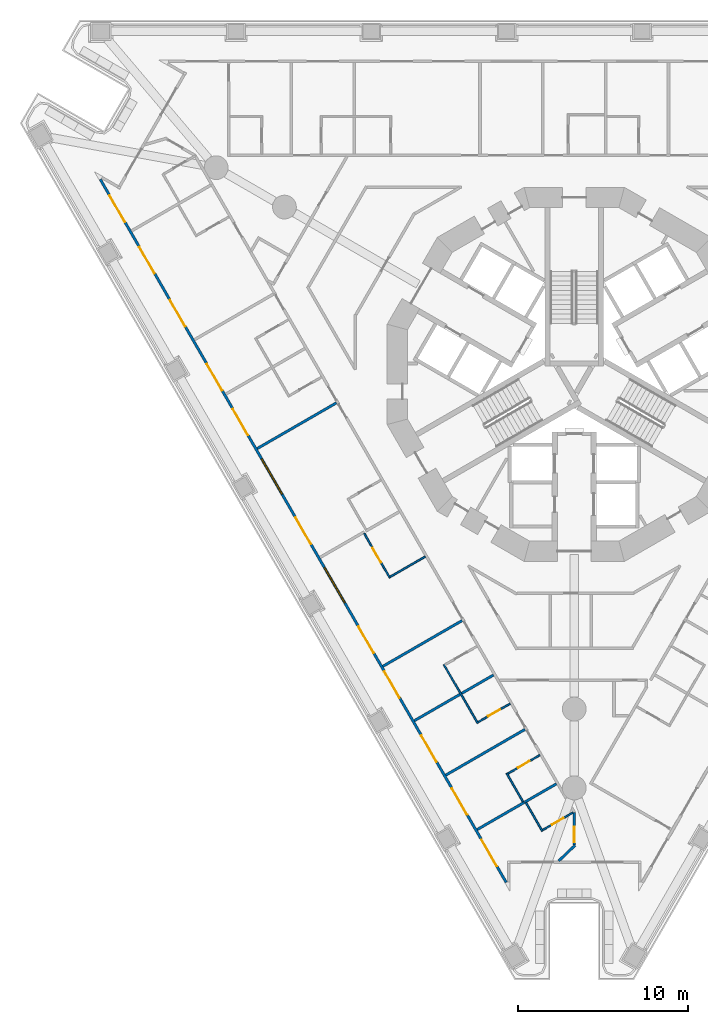
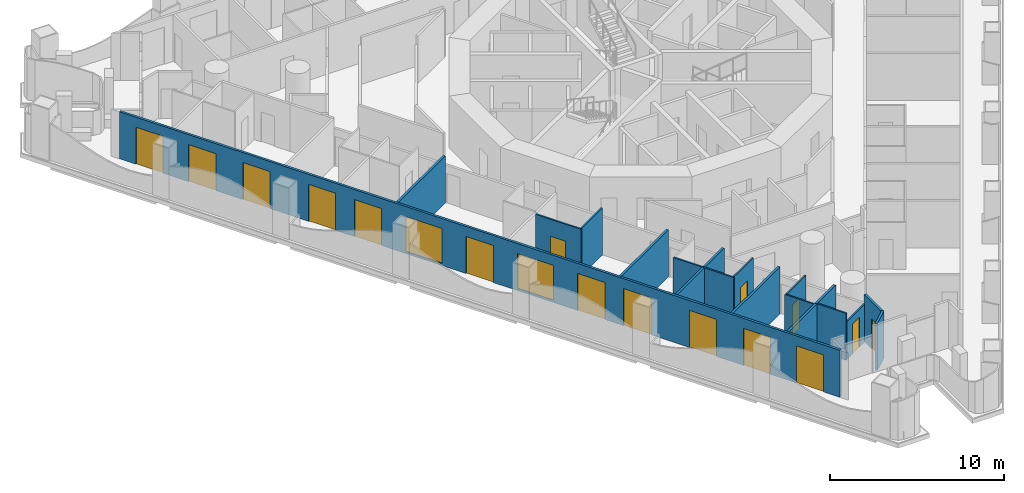
# One storey, part 2 of 20: 17 walls, 16 doors, 2 windows, 18 openings.
"""IFC4 building model written with IfcOpenShell, lengths in metres."""

from ifc_helpers import new_model, si_unit, direction, frame, frame_2d, origin, place, context, subcontext, project, spatial, polyline, rectangle, outline, extrude, material, layer, layer_set, type_object, element, fill, save


model = new_model("IFC4")

# Units and contexts
model_context = context("Model", 3, precision=1e-05, world=origin(), true_north=direction((0.0, 1.0)))
body_context = subcontext(model_context, "Body", "Model", "MODEL_VIEW")
ifc_project = project(units=[si_unit("LENGTHUNIT", "METRE"), si_unit("AREAUNIT", "SQUARE_METRE"), si_unit("VOLUMEUNIT", "CUBIC_METRE"), si_unit("PLANEANGLEUNIT", "RADIAN"), si_unit("MASSUNIT", "GRAM", prefix="KILO")], contexts=[model_context])

# Site, building, storey
site_placement = place(None, origin())
site = spatial("IfcSite", under=ifc_project, at=site_placement, CompositionType="ELEMENT")
building_placement = place(site_placement, origin())
building = spatial("IfcBuilding", under=site, at=building_placement, Name="Trine Commons Tower", CompositionType="ELEMENT")
storey_placement = place(building_placement, frame((0.0, 0.0, 38.699951171875)))
storey = spatial("IfcBuildingStorey", under=building, at=storey_placement, Name="L08", CompositionType="ELEMENT", Elevation=38.699951171875)

# Wall, openings, windows, doors
ifc_material_1 = material(Name="Aluminium-framed insulated wall panel", Category="aluminium")
ifc_layer_1 = layer(ifc_material_1, 0.14990234375)
ifc_layer_set_1 = layer_set([ifc_layer_1], Name="Aluminium-framed insulated wall panel")
wall_type_1 = type_object("IfcWallType", Name="Glazed frame wall 150, EI 60", PredefinedType="SOLIDWALL", material=ifc_layer_set_1)
wall_1_placement = place(storey_placement, frame((76.069580078125, 32.46826171875, 0.0), z_axis=(0.0, 0.0, 1.0), x_axis=(-0.499998600735, 0.866026211649, 0.0)))
wall_1 = element("IfcWall", 1, at=wall_1_placement, inside=storey, type_object=wall_type_1, Name="Glazed frame wall F3", PredefinedType="SOLIDWALL", context=body_context, shape_type="SweptSolid", body=[
    extrude(outline(polyline([(0.1494140625, 0.074951171875), (0.1494140625, -0.074951171875), (47.93701171875, -0.074951171875), (47.93701171875, 0.074951171875), (0.1494140625, 0.074951171875)])), origin(), (0.0, 0.0, 1.0), 3.300048828125),
])
opening_1_placement = place(wall_1_placement, frame((1.24951171875, 0.0, 0.0)))
opening_1 = element("IfcOpeningElement", 2, at=opening_1_placement, cuts=wall_1, Name="Opening BD-1F3-01", PredefinedType="OPENING", context=body_context, shape_type="SweptSolid", body=[
    extrude(rectangle(XDim=1.800048828125, YDim=2.60009765625, at=frame_2d((0.89990234375, 1.300048828125))), frame((0.0, 0.0849609375, 0.0), z_axis=(0.0, -1.0, 0.0), x_axis=(1.0, 0.0, 0.0)), (0.0, 0.0, 1.0), 0.169921875),
])
opening_2_placement = place(wall_1_placement, frame((4.748291015625, 0.0, 0.0)))
opening_2 = element("IfcOpeningElement", 3, at=opening_2_placement, cuts=wall_1, Name="Opening BD-1F3-02", PredefinedType="OPENING", context=body_context, shape_type="SweptSolid", body=[
    extrude(rectangle(XDim=1.800048828125, YDim=2.60009765625, at=frame_2d((0.89990234375, 1.300048828125))), frame((0.0, 0.0849609375, 0.0), z_axis=(0.0, -1.0, 0.0), x_axis=(1.0, 0.0, 0.0)), (0.0, 0.0, 1.0), 0.169921875),
])
opening_3_placement = place(wall_1_placement, frame((8.347412109375, 0.0, 0.0)))
opening_3 = element("IfcOpeningElement", 4, at=opening_3_placement, cuts=wall_1, Name="Opening BD-1F3-03", PredefinedType="OPENING", context=body_context, shape_type="SweptSolid", body=[
    extrude(rectangle(XDim=1.800048828125, YDim=2.60009765625, at=frame_2d((0.89990234375, 1.300048828125))), frame((0.0, 0.0849609375, 0.0), z_axis=(0.0, -1.0, 0.0), x_axis=(1.0, 0.0, 0.0)), (0.0, 0.0, 1.0), 0.169921875),
])
opening_4_placement = place(wall_1_placement, frame((12.69580078125, 0.0, 0.0)))
opening_4 = element("IfcOpeningElement", 5, at=opening_4_placement, cuts=wall_1, Name="Opening BD-1F3-04", PredefinedType="OPENING", context=body_context, shape_type="SweptSolid", body=[
    extrude(rectangle(XDim=1.800048828125, YDim=2.60009765625, at=frame_2d((0.89990234375, 1.300048828125))), frame((0.0, 0.0849609375, 0.0), z_axis=(0.0, -1.0, 0.0), x_axis=(1.0, 0.0, 0.0)), (0.0, 0.0, 1.0), 0.169921875),
])
opening_5_placement = place(wall_1_placement, frame((15.7451171875, 0.0, 0.0)))
opening_5 = element("IfcOpeningElement", 6, at=opening_5_placement, cuts=wall_1, Name="Opening BD-1F3-05", PredefinedType="OPENING", context=body_context, shape_type="SweptSolid", body=[
    extrude(rectangle(XDim=1.800048828125, YDim=2.60009765625, at=frame_2d((0.89990234375, 1.300048828125))), frame((0.0, 0.0849609375, 0.0), z_axis=(0.0, -1.0, 0.0), x_axis=(1.0, 0.0, 0.0)), (0.0, 0.0, 1.0), 0.169921875),
])
opening_6_placement = place(wall_1_placement, frame((19.14404296875, 0.0, 0.14990234375)))
opening_6 = element("IfcOpeningElement", 7, at=opening_6_placement, cuts=wall_1, Name="Opening W-1F3-06", PredefinedType="OPENING", context=body_context, shape_type="SweptSolid", body=[
    extrude(rectangle(XDim=2.39990234375, YDim=2.449951171875, at=frame_2d((1.199951171875, 1.22509765625))), frame((0.0, 0.0849609375, 0.0), z_axis=(0.0, -1.0, 0.0), x_axis=(1.0, 0.0, 0.0)), (0.0, 0.0, 1.0), 0.169921875),
])
opening_7_placement = place(wall_1_placement, frame((23.142822265625, 0.0, 0.0)))
opening_7 = element("IfcOpeningElement", 8, at=opening_7_placement, cuts=wall_1, Name="Opening BD-1F3-07", PredefinedType="OPENING", context=body_context, shape_type="SweptSolid", body=[
    extrude(rectangle(XDim=1.800048828125, YDim=2.60009765625, at=frame_2d((0.89990234375, 1.300048828125))), frame((0.0, 0.0849609375, 0.0), z_axis=(0.0, -1.0, 0.0), x_axis=(1.0, 0.0, 0.0)), (0.0, 0.0, 1.0), 0.169921875),
])
opening_8_placement = place(wall_1_placement, frame((26.541748046875, 0.0, 0.14990234375)))
opening_8 = element("IfcOpeningElement", 9, at=opening_8_placement, cuts=wall_1, Name="Opening W-1F3-08", PredefinedType="OPENING", context=body_context, shape_type="SweptSolid", body=[
    extrude(rectangle(XDim=2.39990234375, YDim=2.449951171875, at=frame_2d((1.199951171875, 1.22509765625))), frame((0.0, 0.0849609375, 0.0), z_axis=(0.0, -1.0, 0.0), x_axis=(1.0, 0.0, 0.0)), (0.0, 0.0, 1.0), 0.169921875),
])
opening_9_placement = place(wall_1_placement, frame((30.54052734375, 0.0, 0.0)))
opening_9 = element("IfcOpeningElement", 10, at=opening_9_placement, cuts=wall_1, Name="Opening BD-1F3-09", PredefinedType="OPENING", context=body_context, shape_type="SweptSolid", body=[
    extrude(rectangle(XDim=1.800048828125, YDim=2.60009765625, at=frame_2d((0.89990234375, 1.300048828125))), frame((0.0, 0.0849609375, 0.0), z_axis=(0.0, -1.0, 0.0), x_axis=(1.0, 0.0, 0.0)), (0.0, 0.0, 1.0), 0.169921875),
])
opening_10_placement = place(wall_1_placement, frame((33.590087890625, 0.0, 0.0)))
opening_10 = element("IfcOpeningElement", 11, at=opening_10_placement, cuts=wall_1, Name="Opening BD-1F3-10", PredefinedType="OPENING", context=body_context, shape_type="SweptSolid", body=[
    extrude(rectangle(XDim=1.800048828125, YDim=2.60009765625, at=frame_2d((0.89990234375, 1.300048828125))), frame((0.0, 0.0849609375, 0.0), z_axis=(0.0, -1.0, 0.0), x_axis=(1.0, 0.0, 0.0)), (0.0, 0.0, 1.0), 0.169921875),
])
opening_11_placement = place(wall_1_placement, frame((37.9384765625, 0.0, 0.0)))
opening_11 = element("IfcOpeningElement", 12, at=opening_11_placement, cuts=wall_1, Name="Opening BD-1F3-11", PredefinedType="OPENING", context=body_context, shape_type="SweptSolid", body=[
    extrude(rectangle(XDim=1.800048828125, YDim=2.60009765625, at=frame_2d((0.89990234375, 1.300048828125))), frame((0.0, 0.0849609375, 0.0), z_axis=(0.0, -1.0, 0.0), x_axis=(1.0, 0.0, 0.0)), (0.0, 0.0, 1.0), 0.169921875),
])
opening_12_placement = place(wall_1_placement, frame((41.537353515625, 0.0, 0.0)))
opening_12 = element("IfcOpeningElement", 13, at=opening_12_placement, cuts=wall_1, Name="Opening BD-1F3-12", PredefinedType="OPENING", context=body_context, shape_type="SweptSolid", body=[
    extrude(rectangle(XDim=1.800048828125, YDim=2.60009765625, at=frame_2d((0.89990234375, 1.300048828125))), frame((0.0, 0.0849609375, 0.0), z_axis=(0.0, -1.0, 0.0), x_axis=(1.0, 0.0, 0.0)), (0.0, 0.0, 1.0), 0.169921875),
])
opening_13_placement = place(wall_1_placement, frame((45.036376953125, 0.0, 0.0)))
opening_13 = element("IfcOpeningElement", 14, at=opening_13_placement, cuts=wall_1, Name="Opening BD-1F3-13", PredefinedType="OPENING", context=body_context, shape_type="SweptSolid", body=[
    extrude(rectangle(XDim=1.800048828125, YDim=2.60009765625, at=frame_2d((0.89990234375, 1.300048828125))), frame((0.0, 0.0849609375, 0.0), z_axis=(0.0, -1.0, 0.0), x_axis=(1.0, 0.0, 0.0)), (0.0, 0.0, 1.0), 0.169921875),
])
ifc_material_2 = material(Name="Anodised aluminium frame with double glazing", Category="aluminium")
window_type = type_object("IfcWindowType", Name="Fixed window 2400x2450", PartitioningType="SINGLE_PANEL", PredefinedType="WINDOW", material=ifc_material_2)
window_1_placement = place(opening_6_placement, origin())
window_1 = element("IfcWindow", 15, at=window_1_placement, inside=storey, type_object=window_type, Name="Window F3 6", OverallHeight=2.449951171875, OverallWidth=2.39990234375, PartitioningType="SINGLE_PANEL", PredefinedType="WINDOW", context=body_context, shape_type="SweptSolid", body=[
    extrude(rectangle(XDim=2.39990234375, YDim=2.449951171875, at=frame_2d((1.199951171875, 1.22509765625))), frame((0.0, 0.030029296875, 0.0), z_axis=(0.0, -1.0, 0.0), x_axis=(1.0, 0.0, 0.0)), (0.0, 0.0, 1.0), 0.06005859375),
])
fill(opening_6, window_1)
window_2_placement = place(opening_8_placement, origin())
window_2 = element("IfcWindow", 16, at=window_2_placement, inside=storey, type_object=window_type, Name="Window F3 8", OverallHeight=2.449951171875, OverallWidth=2.39990234375, PartitioningType="SINGLE_PANEL", PredefinedType="WINDOW", context=body_context, shape_type="SweptSolid", body=[
    extrude(rectangle(XDim=2.39990234375, YDim=2.449951171875, at=frame_2d((1.199951171875, 1.22509765625))), frame((0.0, 0.030029296875, 0.0), z_axis=(0.0, -1.0, 0.0), x_axis=(1.0, 0.0, 0.0)), (0.0, 0.0, 1.0), 0.06005859375),
])
fill(opening_8, window_2)
door_type_1 = type_object("IfcDoorType", Name="Sliding loggia door 1800x2600", OperationType="SLIDING_TO_LEFT", PredefinedType="DOOR", material=ifc_material_2)
door_1_placement = place(opening_1_placement, origin())
door_1 = element("IfcDoor", 17, at=door_1_placement, inside=storey, type_object=door_type_1, Name="Loggia door F3 1", OperationType="SLIDING_TO_LEFT", OverallHeight=2.60009765625, OverallWidth=1.800048828125, PredefinedType="DOOR", context=body_context, shape_type="SweptSolid", body=[
    extrude(rectangle(XDim=1.800048828125, YDim=2.60009765625, at=frame_2d((0.89990234375, 1.300048828125))), frame((0.0, 0.02490234375, 0.0), z_axis=(0.0, -1.0, 0.0), x_axis=(1.0, 0.0, 0.0)), (0.0, 0.0, 1.0), 0.050048828125),
])
fill(opening_1, door_1)
door_2_placement = place(opening_2_placement, origin())
door_2 = element("IfcDoor", 18, at=door_2_placement, inside=storey, type_object=door_type_1, Name="Loggia door F3 2", OperationType="SLIDING_TO_LEFT", OverallHeight=2.60009765625, OverallWidth=1.800048828125, PredefinedType="DOOR", context=body_context, shape_type="SweptSolid", body=[
    extrude(rectangle(XDim=1.800048828125, YDim=2.60009765625, at=frame_2d((0.89990234375, 1.300048828125))), frame((0.0, 0.02490234375, 0.0), z_axis=(0.0, -1.0, 0.0), x_axis=(1.0, 0.0, 0.0)), (0.0, 0.0, 1.0), 0.050048828125),
])
fill(opening_2, door_2)
door_3_placement = place(opening_3_placement, origin())
door_3 = element("IfcDoor", 19, at=door_3_placement, inside=storey, type_object=door_type_1, Name="Loggia door F3 3", OperationType="SLIDING_TO_LEFT", OverallHeight=2.60009765625, OverallWidth=1.800048828125, PredefinedType="DOOR", context=body_context, shape_type="SweptSolid", body=[
    extrude(rectangle(XDim=1.800048828125, YDim=2.60009765625, at=frame_2d((0.89990234375, 1.300048828125))), frame((0.0, 0.02490234375, 0.0), z_axis=(0.0, -1.0, 0.0), x_axis=(1.0, 0.0, 0.0)), (0.0, 0.0, 1.0), 0.050048828125),
])
fill(opening_3, door_3)
door_4_placement = place(opening_4_placement, origin())
door_4 = element("IfcDoor", 20, at=door_4_placement, inside=storey, type_object=door_type_1, Name="Loggia door F3 4", OperationType="SLIDING_TO_LEFT", OverallHeight=2.60009765625, OverallWidth=1.800048828125, PredefinedType="DOOR", context=body_context, shape_type="SweptSolid", body=[
    extrude(rectangle(XDim=1.800048828125, YDim=2.60009765625, at=frame_2d((0.89990234375, 1.300048828125))), frame((0.0, 0.02490234375, 0.0), z_axis=(0.0, -1.0, 0.0), x_axis=(1.0, 0.0, 0.0)), (0.0, 0.0, 1.0), 0.050048828125),
])
fill(opening_4, door_4)
door_5_placement = place(opening_5_placement, origin())
door_5 = element("IfcDoor", 21, at=door_5_placement, inside=storey, type_object=door_type_1, Name="Loggia door F3 5", OperationType="SLIDING_TO_LEFT", OverallHeight=2.60009765625, OverallWidth=1.800048828125, PredefinedType="DOOR", context=body_context, shape_type="SweptSolid", body=[
    extrude(rectangle(XDim=1.800048828125, YDim=2.60009765625, at=frame_2d((0.89990234375, 1.300048828125))), frame((0.0, 0.02490234375, 0.0), z_axis=(0.0, -1.0, 0.0), x_axis=(1.0, 0.0, 0.0)), (0.0, 0.0, 1.0), 0.050048828125),
])
fill(opening_5, door_5)
door_6_placement = place(opening_7_placement, origin())
door_6 = element("IfcDoor", 22, at=door_6_placement, inside=storey, type_object=door_type_1, Name="Loggia door F3 7", OperationType="SLIDING_TO_LEFT", OverallHeight=2.60009765625, OverallWidth=1.800048828125, PredefinedType="DOOR", context=body_context, shape_type="SweptSolid", body=[
    extrude(rectangle(XDim=1.800048828125, YDim=2.60009765625, at=frame_2d((0.89990234375, 1.300048828125))), frame((0.0, 0.02490234375, 0.0), z_axis=(0.0, -1.0, 0.0), x_axis=(1.0, 0.0, 0.0)), (0.0, 0.0, 1.0), 0.050048828125),
])
fill(opening_7, door_6)
door_7_placement = place(opening_9_placement, origin())
door_7 = element("IfcDoor", 23, at=door_7_placement, inside=storey, type_object=door_type_1, Name="Loggia door F3 9", OperationType="SLIDING_TO_LEFT", OverallHeight=2.60009765625, OverallWidth=1.800048828125, PredefinedType="DOOR", context=body_context, shape_type="SweptSolid", body=[
    extrude(rectangle(XDim=1.800048828125, YDim=2.60009765625, at=frame_2d((0.89990234375, 1.300048828125))), frame((0.0, 0.02490234375, 0.0), z_axis=(0.0, -1.0, 0.0), x_axis=(1.0, 0.0, 0.0)), (0.0, 0.0, 1.0), 0.050048828125),
])
fill(opening_9, door_7)
door_8_placement = place(opening_10_placement, origin())
door_8 = element("IfcDoor", 24, at=door_8_placement, inside=storey, type_object=door_type_1, Name="Loggia door F3 10", OperationType="SLIDING_TO_LEFT", OverallHeight=2.60009765625, OverallWidth=1.800048828125, PredefinedType="DOOR", context=body_context, shape_type="SweptSolid", body=[
    extrude(rectangle(XDim=1.800048828125, YDim=2.60009765625, at=frame_2d((0.89990234375, 1.300048828125))), frame((0.0, 0.02490234375, 0.0), z_axis=(0.0, -1.0, 0.0), x_axis=(1.0, 0.0, 0.0)), (0.0, 0.0, 1.0), 0.050048828125),
])
fill(opening_10, door_8)
door_9_placement = place(opening_11_placement, origin())
door_9 = element("IfcDoor", 25, at=door_9_placement, inside=storey, type_object=door_type_1, Name="Loggia door F3 11", OperationType="SLIDING_TO_LEFT", OverallHeight=2.60009765625, OverallWidth=1.800048828125, PredefinedType="DOOR", context=body_context, shape_type="SweptSolid", body=[
    extrude(rectangle(XDim=1.800048828125, YDim=2.60009765625, at=frame_2d((0.89990234375, 1.300048828125))), frame((0.0, 0.02490234375, 0.0), z_axis=(0.0, -1.0, 0.0), x_axis=(1.0, 0.0, 0.0)), (0.0, 0.0, 1.0), 0.050048828125),
])
fill(opening_11, door_9)
door_10_placement = place(opening_12_placement, origin())
door_10 = element("IfcDoor", 26, at=door_10_placement, inside=storey, type_object=door_type_1, Name="Loggia door F3 12", OperationType="SLIDING_TO_LEFT", OverallHeight=2.60009765625, OverallWidth=1.800048828125, PredefinedType="DOOR", context=body_context, shape_type="SweptSolid", body=[
    extrude(rectangle(XDim=1.800048828125, YDim=2.60009765625, at=frame_2d((0.89990234375, 1.300048828125))), frame((0.0, 0.02490234375, 0.0), z_axis=(0.0, -1.0, 0.0), x_axis=(1.0, 0.0, 0.0)), (0.0, 0.0, 1.0), 0.050048828125),
])
fill(opening_12, door_10)
door_11_placement = place(opening_13_placement, origin())
door_11 = element("IfcDoor", 27, at=door_11_placement, inside=storey, type_object=door_type_1, Name="Loggia door F3 13", OperationType="SLIDING_TO_LEFT", OverallHeight=2.60009765625, OverallWidth=1.800048828125, PredefinedType="DOOR", context=body_context, shape_type="SweptSolid", body=[
    extrude(rectangle(XDim=1.800048828125, YDim=2.60009765625, at=frame_2d((0.89990234375, 1.300048828125))), frame((0.0, 0.02490234375, 0.0), z_axis=(0.0, -1.0, 0.0), x_axis=(1.0, 0.0, 0.0)), (0.0, 0.0, 1.0), 0.050048828125),
])
fill(opening_13, door_11)

# Walls
ifc_material_3 = material(Name="Gypsum plasterboard on steel stud", Category="steel")
ifc_layer_2 = layer(ifc_material_3, 0.14990234375)
ifc_layer_set_2 = layer_set([ifc_layer_2], Name="Gypsum plasterboard on steel stud")
wall_type_2 = type_object("IfcWallType", Name="Unit and corridor wall 150 mm, EI 60", PredefinedType="PARTITIONING", material=ifc_layer_set_2)
for number, where, z_axis, x_axis, name in (
    (28, (61.338623046875, 58.133056640625, 0.0), (0.0, 0.0, 1.0), (0.866057962423, 0.499943602543, 0.0), "Partition 019"),
    (29, (68.736572265625, 45.319091796875, 0.0), (0.0, 0.0, 1.0), (0.866057962423, 0.499943602543, 0.0), "Partition 043"),
):
    element("IfcWall", number, at=place(storey_placement, frame(where, z_axis=z_axis, x_axis=x_axis)), inside=storey, type_object=wall_type_2, Name=name, PredefinedType="PARTITIONING", context=body_context, shape_type="SweptSolid", body=[
        extrude(rectangle(XDim=5.38330078125, YDim=0.14990234375, at=frame_2d((2.691650390625, 0.0))), origin(), (0.0, 0.0, 1.0), 3.300048828125),
    ])
wall_2_placement = place(storey_placement, frame((70.586669921875, 42.115966796875, 0.0), z_axis=(0.0, 0.0, 1.0), x_axis=(0.865992970276, 0.500056172277, 0.0)))
element("IfcWall", 30, at=wall_2_placement, inside=storey, type_object=wall_type_2, Name="Partition 046", PredefinedType="PARTITIONING", context=body_context, shape_type="SweptSolid", body=[
    extrude(rectangle(XDim=5.3828125, YDim=0.14990234375, at=frame_2d((2.69140625, 0.0))), origin(), (0.0, 0.0, 1.0), 3.300048828125),
])
wall_3_placement = place(storey_placement, frame((72.435546875, 38.912109375, 0.0), z_axis=(0.0, 0.0, 1.0), x_axis=(0.86599075498, 0.500060008688, 0.0)))
element("IfcWall", 31, at=wall_3_placement, inside=storey, type_object=wall_type_2, Name="Partition 050", PredefinedType="PARTITIONING", context=body_context, shape_type="SweptSolid", body=[
    extrude(rectangle(XDim=5.384033203125, YDim=0.14990234375, at=frame_2d((2.69189453125, 0.0))), origin(), (0.0, 0.0, 1.0), 3.300048828125),
])
wall_4_placement = place(storey_placement, frame((74.28564453125, 35.708984375, 0.0), z_axis=(0.0, 0.0, 1.0), x_axis=(0.865960198283, 0.500112922239, 0.0)))
element("IfcWall", 32, at=wall_4_placement, inside=storey, type_object=wall_type_2, Name="Partition 053", PredefinedType="PARTITIONING", context=body_context, shape_type="SweptSolid", body=[
    extrude(rectangle(XDim=3.211181640625, YDim=0.14990234375, at=frame_2d((1.60546875, 0.0))), origin(), (0.0, 0.0, 1.0), 3.300048828125),
])
wall_5_placement = place(storey_placement, frame((77.080810546875, 37.322998046875, 0.0), z_axis=(0.0, 0.0, 1.0), x_axis=(0.866038426532, 0.499977443261, 0.0)))
element("IfcWall", 33, at=wall_5_placement, inside=storey, type_object=wall_type_2, Name="Partition 062", PredefinedType="PARTITIONING", context=body_context, shape_type="SweptSolid", body=[
    extrude(rectangle(XDim=2.15478515625, YDim=0.14990234375, at=frame_2d((1.077392578125, 0.0))), origin(), (0.0, 0.0, 1.0), 3.300048828125),
])
wall_6_placement = place(storey_placement, frame((79.078857421875, 33.857666015625, 0.0), z_axis=(0.0, 0.0, 1.0), x_axis=(0.722940474112, 0.69091032044, 0.0)))
element("IfcWall", 34, at=wall_6_placement, inside=storey, type_object=wall_type_2, Name="Partition 066", PredefinedType="PARTITIONING", context=body_context, shape_type="SweptSolid", body=[
    extrude(rectangle(XDim=1.34912109375, YDim=0.14990234375, at=frame_2d((0.674560546875, 0.0))), origin(), (0.0, 0.0, 1.0), 3.300048828125),
])

# Wall, opening, door
wall_7_placement = place(storey_placement, frame((80.0, 34.81298828125, 0.0), z_axis=(0.0, 0.0, 1.0), x_axis=(0.0, 1.0, 0.0)))
wall_7 = element("IfcWall", 35, at=wall_7_placement, inside=storey, type_object=wall_type_2, Name="Partition 069", PredefinedType="PARTITIONING", context=body_context, shape_type="SweptSolid", body=[
    extrude(rectangle(XDim=1.9140625, YDim=0.14990234375, at=frame_2d((0.95703125, 0.0))), origin(), (0.0, 0.0, 1.0), 3.300048828125),
])
opening_14_placement = place(wall_7_placement, frame((0.14990234375, 0.0, 0.0)))
opening_14 = element("IfcOpeningElement", 36, at=opening_14_placement, cuts=wall_7, Name="Opening D-1A24", PredefinedType="OPENING", context=body_context, shape_type="SweptSolid", body=[
    extrude(rectangle(XDim=0.89990234375, YDim=2.10009765625, at=frame_2d((0.449951171875, 1.050048828125))), frame((0.0, 0.0849609375, 0.0), z_axis=(0.0, -1.0, 0.0), x_axis=(1.0, 0.0, 0.0)), (0.0, 0.0, 1.0), 0.169921875),
])
ifc_material_4 = material(Name="Timber fire door set", Category="wood")
door_type_2 = type_object("IfcDoorType", Name="Bedroom door 900 x 2100, FD30S", OperationType="NOTDEFINED", PredefinedType="DOOR", material=ifc_material_4)
door_12_placement = place(opening_14_placement, origin())
door_12 = element("IfcDoor", 37, at=door_12_placement, inside=storey, type_object=door_type_2, Name="Door D-1A24", OperationType="SINGLE_SWING_LEFT", OverallHeight=2.10009765625, OverallWidth=0.89990234375, PredefinedType="DOOR", context=body_context, shape_type="SweptSolid", body=[
    extrude(rectangle(XDim=0.89990234375, YDim=2.10009765625, at=frame_2d((0.449951171875, 1.050048828125))), frame((0.0, 0.02490234375, 0.0), z_axis=(0.0, -1.0, 0.0), x_axis=(1.0, 0.0, 0.0)), (0.0, 0.0, 1.0), 0.050048828125),
])
fill(opening_14, door_12)

ifc_layer_3 = layer(ifc_material_3, 0.10009765625)
ifc_layer_set_3 = layer_set([ifc_layer_3], Name="Gypsum plasterboard on steel stud")
wall_type_3 = type_object("IfcWallType", Name="Unit partition 100 mm, no rating", PredefinedType="PARTITIONING", material=ifc_layer_set_3)
wall_8_placement = place(storey_placement, frame((67.637451171875, 53.139892578125, 0.0), z_axis=(0.0, 0.0, 1.0), x_axis=(0.49993202411, -0.866064646126, 0.0)))
wall_8 = element("IfcWall", 38, at=wall_8_placement, inside=storey, type_object=wall_type_3, Name="Partition 040", PredefinedType="PARTITIONING", context=body_context, shape_type="SweptSolid", body=[
    extrude(rectangle(XDim=3.025390625, YDim=0.10009765625, at=frame_2d((1.5126953125, 0.0))), origin(), (0.0, 0.0, 1.0), 3.300048828125),
])
opening_15_placement = place(wall_8_placement, frame((0.98779296875, 0.0, 0.0)))
opening_15 = element("IfcOpeningElement", 39, at=opening_15_placement, cuts=wall_8, Name="Opening D-1A60", PredefinedType="OPENING", context=body_context, shape_type="SweptSolid", body=[
    extrude(rectangle(XDim=1.0, YDim=2.10009765625, at=frame_2d((0.5, 1.050048828125))), frame((0.0, 0.06005859375, 0.0), z_axis=(0.0, -1.0, 0.0), x_axis=(1.0, 0.0, 0.0)), (0.0, 0.0, 1.0), 0.1201171875),
])
ifc_material_5 = material(Name="Painted timber", Category="wood")
door_type_3 = type_object("IfcDoorType", Name="Internal door 1000 x 2100, NOT RATED", OperationType="NOTDEFINED", PredefinedType="DOOR", material=ifc_material_5)
door_13_placement = place(opening_15_placement, frame((1.0, 0.0, 0.0), z_axis=(0.0, 0.0, 1.0), x_axis=(-1.0, 0.0, 0.0)))
door_13 = element("IfcDoor", 40, at=door_13_placement, inside=storey, type_object=door_type_3, Name="Door D-1A60", OperationType="SINGLE_SWING_RIGHT", OverallHeight=2.10009765625, OverallWidth=1.0, PredefinedType="DOOR", context=body_context, shape_type="SweptSolid", body=[
    extrude(rectangle(XDim=1.0, YDim=2.10009765625, at=frame_2d((0.5, 1.050048828125))), frame((0.0, 0.02490234375, 0.0), z_axis=(0.0, -1.0, 0.0), x_axis=(1.0, 0.0, 0.0)), (0.0, 0.0, 1.0), 0.050048828125),
])
fill(opening_15, door_13)

# Walls
wall_9_placement = place(storey_placement, frame((69.168212890625, 50.587890625, 0.0), z_axis=(0.0, 0.0, 1.0), x_axis=(0.866033238375, 0.499986429846, 0.0)))
element("IfcWall", 41, at=wall_9_placement, inside=storey, type_object=wall_type_3, Name="Partition 044", PredefinedType="PARTITIONING", context=body_context, shape_type="SweptSolid", body=[
    extrude(rectangle(XDim=2.375, YDim=0.10009765625, at=frame_2d((1.1875, 0.0))), origin(), (0.0, 0.0, 1.0), 3.300048828125),
])
wall_10_placement = place(storey_placement, frame((72.321044921875, 45.42724609375, 0.0), z_axis=(0.0, 0.0, 1.0), x_axis=(0.499946095386, -0.866056523391, 0.0)))
element("IfcWall", 42, at=wall_10_placement, inside=storey, type_object=wall_type_3, Name="Partition 048", PredefinedType="PARTITIONING", context=body_context, shape_type="SweptSolid", body=[
    extrude(rectangle(XDim=4.00048828125, YDim=0.10009765625, at=frame_2d((2.000244140625, 0.0))), origin(), (0.0, 0.0, 1.0), 3.300048828125),
])

# Wall, opening, door
wall_11_placement = place(storey_placement, frame((74.33935546875, 42.031005859375, 0.0), z_axis=(0.0, 0.0, 1.0), x_axis=(0.866037911478, 0.499978335414, 0.0)))
wall_11 = element("IfcWall", 43, at=wall_11_placement, inside=storey, type_object=wall_type_3, Name="Partition 054", PredefinedType="PARTITIONING", context=body_context, shape_type="SweptSolid", body=[
    extrude(rectangle(XDim=2.1748046875, YDim=0.10009765625, at=frame_2d((1.08740234375, 0.0))), origin(), (0.0, 0.0, 1.0), 3.300048828125),
])
opening_16_placement = place(wall_11_placement, frame((0.6875, 0.0, 0.0)))
opening_16 = element("IfcOpeningElement", 44, at=opening_16_placement, cuts=wall_11, Name="Opening D-1A58", PredefinedType="OPENING", context=body_context, shape_type="SweptSolid", body=[
    extrude(rectangle(XDim=0.800048828125, YDim=2.10009765625, at=frame_2d((0.39990234375, 1.050048828125))), frame((0.0, 0.06005859375, 0.0), z_axis=(0.0, -1.0, 0.0), x_axis=(1.0, 0.0, 0.0)), (0.0, 0.0, 1.0), 0.1201171875),
])
door_type_4 = type_object("IfcDoorType", Name="Internal door 800 x 2100, NOT RATED", OperationType="NOTDEFINED", PredefinedType="DOOR", material=ifc_material_5)
door_14_placement = place(opening_16_placement, frame((0.800048828125, 0.0, 0.0), z_axis=(0.0, 0.0, 1.0), x_axis=(-1.0, 0.0, 0.0)))
door_14 = element("IfcDoor", 45, at=door_14_placement, inside=storey, type_object=door_type_4, Name="Door D-1A58", OperationType="SINGLE_SWING_LEFT", OverallHeight=2.10009765625, OverallWidth=0.800048828125, PredefinedType="DOOR", context=body_context, shape_type="SweptSolid", body=[
    extrude(rectangle(XDim=0.800048828125, YDim=2.10009765625, at=frame_2d((0.39990234375, 1.050048828125))), frame((0.0, 0.02490234375, 0.0), z_axis=(0.0, -1.0, 0.0), x_axis=(1.0, 0.0, 0.0)), (0.0, 0.0, 1.0), 0.050048828125),
])
fill(opening_16, door_14)

# Wall
wall_12_placement = place(storey_placement, frame((76.02001953125, 39.020263671875, 0.0), z_axis=(0.0, 0.0, 1.0), x_axis=(0.499931040243, -0.866065214058, 0.0)))
element("IfcWall", 46, at=wall_12_placement, inside=storey, type_object=wall_type_3, Name="Partition 057", PredefinedType="PARTITIONING", context=body_context, shape_type="SweptSolid", body=[
    extrude(rectangle(XDim=1.925048828125, YDim=0.10009765625, at=frame_2d((0.96240234375, 0.0))), origin(), (0.0, 0.0, 1.0), 3.300048828125),
])

# Wall, opening, door
wall_13_placement = place(storey_placement, frame((76.08837890625, 39.001953125, 0.0), z_axis=(0.0, 0.0, 1.0), x_axis=(0.865989304205, 0.500062521093, 0.0)))
wall_13 = element("IfcWall", 47, at=wall_13_placement, inside=storey, type_object=wall_type_3, Name="Partition 058", PredefinedType="PARTITIONING", context=body_context, shape_type="SweptSolid", body=[
    extrude(rectangle(XDim=2.175048828125, YDim=0.10009765625, at=frame_2d((1.08740234375, 0.0))), origin(), (0.0, 0.0, 1.0), 3.300048828125),
])
opening_17_placement = place(wall_13_placement, frame((0.6875, 0.0, 0.0)))
opening_17 = element("IfcOpeningElement", 48, at=opening_17_placement, cuts=wall_13, Name="Opening D-1A57", PredefinedType="OPENING", context=body_context, shape_type="SweptSolid", body=[
    extrude(rectangle(XDim=0.800048828125, YDim=2.10009765625, at=frame_2d((0.39990234375, 1.050048828125))), frame((0.0, 0.06005859375, 0.0), z_axis=(0.0, -1.0, 0.0), x_axis=(1.0, 0.0, 0.0)), (0.0, 0.0, 1.0), 0.1201171875),
])
door_15_placement = place(opening_17_placement, origin())
door_15 = element("IfcDoor", 49, at=door_15_placement, inside=storey, type_object=door_type_4, Name="Door D-1A57", OperationType="SINGLE_SWING_RIGHT", OverallHeight=2.10009765625, OverallWidth=0.800048828125, PredefinedType="DOOR", context=body_context, shape_type="SweptSolid", body=[
    extrude(rectangle(XDim=0.800048828125, YDim=2.10009765625, at=frame_2d((0.39990234375, 1.050048828125))), frame((0.0, 0.02490234375, 0.0), z_axis=(0.0, -1.0, 0.0), x_axis=(1.0, 0.0, 0.0)), (0.0, 0.0, 1.0), 0.050048828125),
])
fill(opening_17, door_15)

# Wall
wall_14_placement = place(storey_placement, frame((77.16162109375, 37.282958984375, 0.0), z_axis=(0.0, 0.0, 1.0), x_axis=(0.499931040243, -0.866065214058, 0.0)))
element("IfcWall", 50, at=wall_14_placement, inside=storey, type_object=wall_type_3, Name="Partition 061", PredefinedType="PARTITIONING", context=body_context, shape_type="SweptSolid", body=[
    extrude(rectangle(XDim=1.925048828125, YDim=0.10009765625, at=frame_2d((0.96240234375, 0.0))), origin(), (0.0, 0.0, 1.0), 3.300048828125),
])

# Wall, opening, door
wall_15_placement = place(storey_placement, frame((78.142333984375, 35.68408203125, 0.0), z_axis=(0.0, 0.0, 1.0), x_axis=(0.866070848188, 0.499921279722, 0.0)))
wall_15 = element("IfcWall", 51, at=wall_15_placement, inside=storey, type_object=wall_type_3, Name="Partition 063", PredefinedType="PARTITIONING", context=body_context, shape_type="SweptSolid", body=[
    extrude(rectangle(XDim=2.054931640625, YDim=0.10009765625, at=frame_2d((1.02734375, 0.0))), origin(), (0.0, 0.0, 1.0), 2.650146484375),
])
opening_18_placement = place(wall_15_placement, frame((0.627685546875, 0.0, 0.0)))
opening_18 = element("IfcOpeningElement", 52, at=opening_18_placement, cuts=wall_15, Name="Opening D-1A56", PredefinedType="OPENING", context=body_context, shape_type="SweptSolid", body=[
    extrude(rectangle(XDim=0.800048828125, YDim=2.10009765625, at=frame_2d((0.39990234375, 1.050048828125))), frame((0.0, 0.06005859375, 0.0), z_axis=(0.0, -1.0, 0.0), x_axis=(1.0, 0.0, 0.0)), (0.0, 0.0, 1.0), 0.1201171875),
])
door_16_placement = place(opening_18_placement, frame((0.800048828125, 0.0, 0.0), z_axis=(0.0, 0.0, 1.0), x_axis=(-1.0, 0.0, 0.0)))
door_16 = element("IfcDoor", 53, at=door_16_placement, inside=storey, type_object=door_type_4, Name="Door D-1A56", OperationType="SINGLE_SWING_LEFT", OverallHeight=2.10009765625, OverallWidth=0.800048828125, PredefinedType="DOOR", context=body_context, shape_type="SweptSolid", body=[
    extrude(rectangle(XDim=0.800048828125, YDim=2.10009765625, at=frame_2d((0.39990234375, 1.050048828125))), frame((0.0, 0.02490234375, 0.0), z_axis=(0.0, -1.0, 0.0), x_axis=(1.0, 0.0, 0.0)), (0.0, 0.0, 1.0), 0.050048828125),
])
fill(opening_18, door_16)

save(model, "model.ifc")
